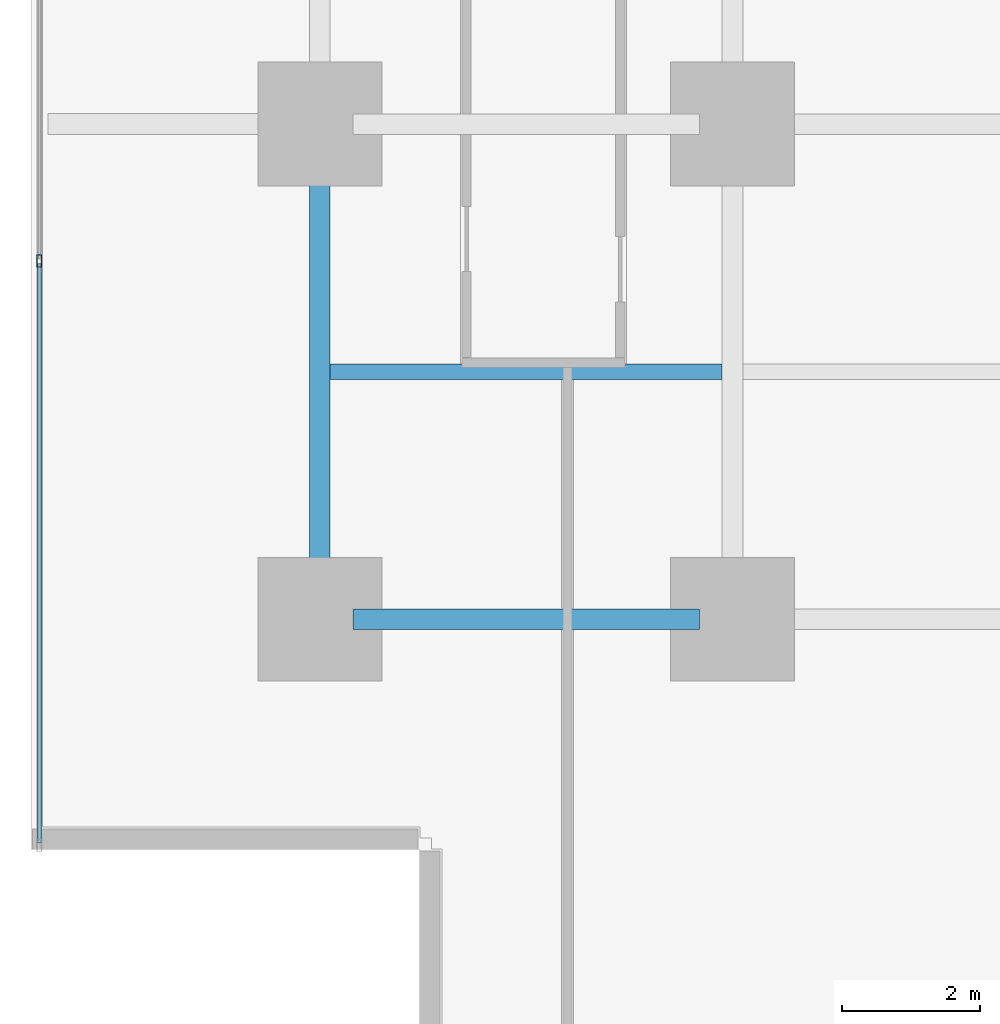
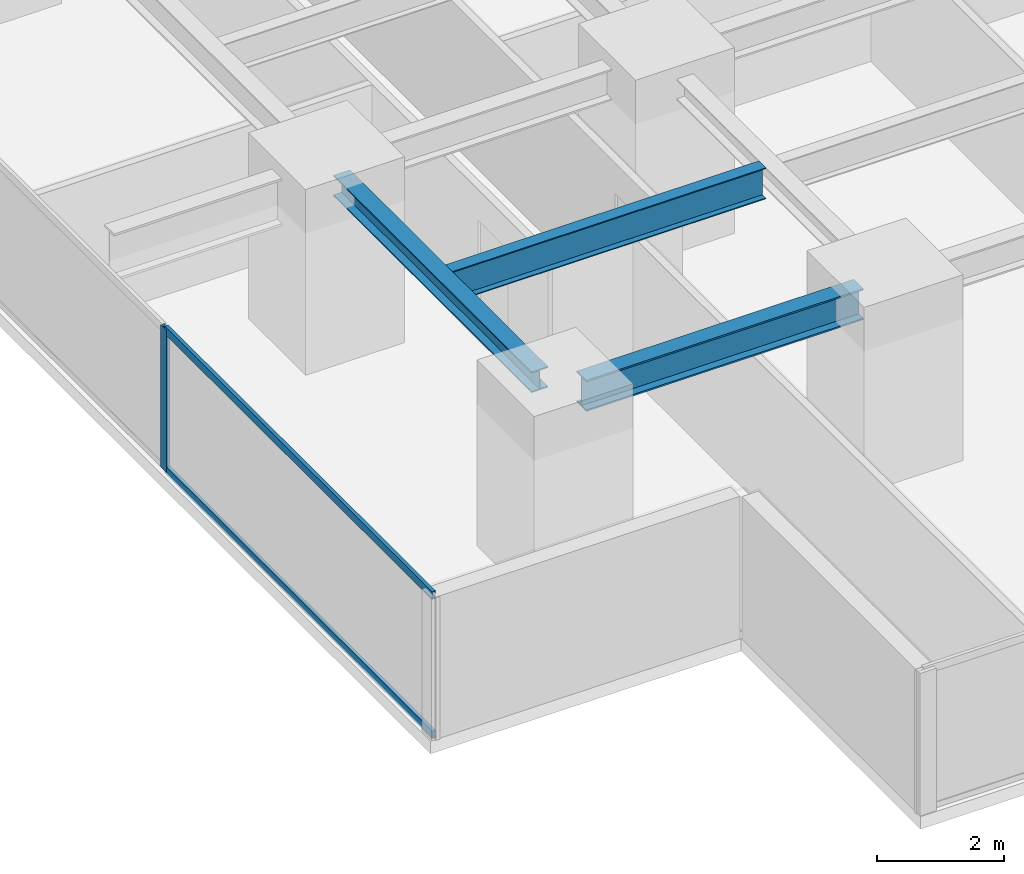
# One storey, part 3 of 33: 3 beams, 3 members, 1 element without a shape of its own.
"""IFC4 building model written with IfcOpenShell, lengths in metres."""

from ifc_helpers import new_model, si_unit, direction, frame, origin, origin_2d, place, context, subcontext, project, spatial, hollow_rectangle, i_section, extrude, source, transform, mapped, material, layer, layer_set, material_profile, profile_set, type_object, element, aggregate, save


model = new_model("IFC4")

# Units and contexts
model_context = context("Model", 3, precision=1e-05, world=origin(), true_north=direction((0.0, 1.0)))
body_context = subcontext(model_context, "Body", "Model", "MODEL_VIEW")
ifc_project = project(units=[si_unit("LENGTHUNIT", "METRE"), si_unit("AREAUNIT", "SQUARE_METRE"), si_unit("VOLUMEUNIT", "CUBIC_METRE"), si_unit("PLANEANGLEUNIT", "RADIAN"), si_unit("MASSUNIT", "GRAM", prefix="KILO")], contexts=[model_context])

# Site, building, storey
site_placement = place(None, origin())
site = spatial("IfcSite", under=ifc_project, at=site_placement, CompositionType="ELEMENT")
building_placement = place(site_placement, origin())
building = spatial("IfcBuilding", under=site, at=building_placement, Name="Sumidabori Civic Tower", CompositionType="ELEMENT")
storey_placement = place(building_placement, frame((0.0, 0.0, 38.0)))
storey = spatial("IfcBuildingStorey", under=building, at=storey_placement, Name="L09", CompositionType="ELEMENT", Elevation=38.0)

# Beams
ifc_material_1 = material(Name="Steel SN490", Category="steel")
ifc_material_profile_1 = material_profile(ifc_material_1, i_section(OverallWidth=0.300048828125, OverallDepth=0.60009765625, WebThickness=0.015380859375, FlangeThickness=0.030029296875, at=origin_2d()), Name="HE 600 B")
ifc_profile_set_1 = profile_set([ifc_material_profile_1], Name="Steel SN490")
beam_type_1 = type_object("IfcBeamType", Name="BM-GIRD-600", PredefinedType="BEAM", material=ifc_profile_set_1)
shared_shape_1 = source(origin(), body_context, "Body", "SweptSolid", [
    extrude(i_section(OverallWidth=0.300048828125, OverallDepth=0.60009765625, WebThickness=0.015380859375, FlangeThickness=0.030029296875, at=origin_2d()), origin(), (0.0, 0.0, 1.0), 5.0400390625),
])
beam_1_placement = place(storey_placement, frame((-22.320068359375, -18.0, 3.06005859375), z_axis=(1.0, 0.0, 0.0), x_axis=(0.0, 1.0, 0.0)))
element("IfcBeam", 1, at=beam_1_placement, inside=storey, type_object=beam_type_1, Name="Primary Girder L09 GX-01", PredefinedType="BEAM", context=body_context, shape_type="MappedRepresentation", body=[
    mapped(shared_shape_1, transform((0.0, 0.0, 0.0), x_axis=(1.0, 0.0, 0.0), y_axis=(0.0, 1.0, 0.0), z_axis=(0.0, 0.0, 1.0), scale=1.0)),
])
ifc_material_profile_2 = material_profile(ifc_material_1, i_section(OverallWidth=0.300048828125, OverallDepth=0.39990234375, WebThickness=0.013427734375, FlangeThickness=0.02392578125, at=origin_2d()), Name="HE 400 B")
ifc_profile_set_2 = profile_set([ifc_material_profile_2], Name="Steel SN490")
beam_type_2 = type_object("IfcBeamType", Name="BM-GIRD-400", PredefinedType="BEAM", material=ifc_profile_set_2)
shared_shape_2 = source(origin(), body_context, "Body", "SweptSolid", [
    extrude(i_section(OverallWidth=0.300048828125, OverallDepth=0.39990234375, WebThickness=0.013427734375, FlangeThickness=0.02392578125, at=origin_2d()), origin(), (0.0, 0.0, 1.0), 6.239990234375),
])
beam_2_placement = place(storey_placement, frame((-22.800048828125, -17.52001953125, 3.159912109375), z_axis=(0.0, 1.0, 0.0), x_axis=(-1.0, 0.0, 0.0)))
element("IfcBeam", 2, at=beam_2_placement, inside=storey, type_object=beam_type_2, Name="Primary Girder L09 GY-21", PredefinedType="BEAM", context=body_context, shape_type="MappedRepresentation", body=[
    mapped(shared_shape_2, transform((0.0, 0.0, 0.0), x_axis=(1.0, 0.0, 0.0), y_axis=(0.0, 1.0, 0.0), z_axis=(0.0, 0.0, 1.0), scale=1.0)),
])
ifc_material_profile_3 = material_profile(ifc_material_1, i_section(OverallWidth=0.219970703125, OverallDepth=0.60009765625, WebThickness=0.011962890625, FlangeThickness=0.01904296875, at=origin_2d()), Name="IPE 600")
ifc_profile_set_3 = profile_set([ifc_material_profile_3], Name="Steel SN490")
beam_type_3 = type_object("IfcBeamType", Name="BM-JST-600", PredefinedType="JOIST", material=ifc_profile_set_3)
shared_shape_3 = source(origin(), body_context, "Body", "SweptSolid", [
    extrude(i_section(OverallWidth=0.219970703125, OverallDepth=0.60009765625, WebThickness=0.011962890625, FlangeThickness=0.01904296875, at=origin_2d()), origin(), (0.0, 0.0, 1.0), 5.699951171875),
])
beam_3_placement = place(storey_placement, frame((-22.64990234375, -14.39990234375, 3.06005859375), z_axis=(1.0, 0.0, 0.0), x_axis=(0.0, 1.0, 0.0)))
element("IfcBeam", 3, at=beam_3_placement, inside=storey, type_object=beam_type_3, Name="Outer Bay Floor Joist L09 JSTO-57", PredefinedType="JOIST", context=body_context, shape_type="MappedRepresentation", body=[
    mapped(shared_shape_3, transform((0.0, 0.0, 0.0), x_axis=(1.0, 0.0, 0.0), y_axis=(0.0, 1.0, 0.0), z_axis=(0.0, 0.0, 1.0), scale=1.0)),
])

# Curtain wall, members
ifc_material_2 = material(Name="Anodised Bronze Aluminium AW-6063-T6", Category="aluminium")
ifc_layer = layer(ifc_material_2, 0.179931640625, Name="Anodised Bronze Aluminium AW-6063-T6")
ifc_layer_set = layer_set([ifc_layer], Name="Anodised Bronze Aluminium AW-6063-T6")
curtain_wall_type = type_object("IfcCurtainWallType", Name="CW-SYS-2", PredefinedType="NOTDEFINED", material=ifc_layer_set)
curtain_wall_placement = place(storey_placement, origin())
curtain_wall = element("IfcCurtainWall", 4, at=curtain_wall_placement, inside=storey, type_object=curtain_wall_type, Name="Curtain Wall CW:L09:R10", PredefinedType="NOTDEFINED")
ifc_material_profile_4 = material_profile(ifc_material_2, hollow_rectangle(XDim=0.070068359375, YDim=0.179931640625, WallThickness=0.006103515625, at=origin_2d()), Name="ALU MULLION 180x70")
ifc_profile_set_4 = profile_set([ifc_material_profile_4], Name="Anodised Bronze Aluminium AW-6063-T6")
member_type_1 = type_object("IfcMemberType", Name="CW-MUL-180", PredefinedType="MULLION", material=ifc_profile_set_4)
shared_shape_4 = source(origin(), body_context, "Body", "SweptSolid", [
    extrude(hollow_rectangle(XDim=0.070068359375, YDim=0.179931640625, WallThickness=0.006103515625, at=origin_2d()), origin(), (0.0, 0.0, 1.0), 2.739990234375),
])
member_1_placement = place(storey_placement, frame((-26.8798828125, -12.7919921875, 0.0), z_axis=(0.0, 0.0, 1.0), x_axis=(1.0, 0.0, 0.0)))
member_1 = element("IfcMember", 5, at=member_1_placement, type_object=member_type_1, Name="CW-2 mullion 5", PredefinedType="MULLION", context=body_context, shape_type="MappedRepresentation", body=[
    mapped(shared_shape_4, transform((0.0, 0.0, 0.0), x_axis=(1.0, 0.0, 0.0), y_axis=(0.0, 1.0, 0.0), z_axis=(0.0, 0.0, 1.0), scale=1.0)),
])
ifc_material_profile_5 = material_profile(ifc_material_2, hollow_rectangle(XDim=0.06494140625, YDim=0.14990234375, WallThickness=0.0048828125, at=origin_2d()), Name="ALU TRANSOM 150x65")
ifc_profile_set_5 = profile_set([ifc_material_profile_5], Name="Anodised Bronze Aluminium AW-6063-T6")
member_type_2 = type_object("IfcMemberType", Name="CW-TRN-150", PredefinedType="USERDEFINED", material=ifc_profile_set_5)
shared_shape_5 = source(origin(), body_context, "Body", "SweptSolid", [
    extrude(hollow_rectangle(XDim=0.06494140625, YDim=0.14990234375, WallThickness=0.0048828125, at=origin_2d()), origin(), (0.0, 0.0, 1.0), 8.423095703125),
])
member_2_placement = place(storey_placement, frame((-26.8798828125, -12.826904296875, 0.032470703125), z_axis=(0.0, -1.0, 0.0), x_axis=(1.0, 0.0, 0.0)))
member_2 = element("IfcMember", 6, at=member_2_placement, type_object=member_type_2, Name="CW-2 transom 5.1", ObjectType="TRANSOM", PredefinedType="USERDEFINED", context=body_context, shape_type="MappedRepresentation", body=[
    mapped(shared_shape_5, transform((0.0, 0.0, 0.0), x_axis=(1.0, 0.0, 0.0), y_axis=(0.0, 1.0, 0.0), z_axis=(0.0, 0.0, 1.0), scale=1.0)),
])
member_3_placement = place(storey_placement, frame((-26.8798828125, -12.826904296875, 2.70751953125), z_axis=(0.0, -1.0, 0.0), x_axis=(1.0, 0.0, 0.0)))
member_3 = element("IfcMember", 7, at=member_3_placement, type_object=member_type_2, Name="CW-2 transom 5.2", ObjectType="TRANSOM", PredefinedType="USERDEFINED", context=body_context, shape_type="MappedRepresentation", body=[
    mapped(shared_shape_5, transform((0.0, 0.0, 0.0), x_axis=(1.0, 0.0, 0.0), y_axis=(0.0, 1.0, 0.0), z_axis=(0.0, 0.0, 1.0), scale=1.0)),
])
aggregate(curtain_wall, [member_1, member_2, member_3])

save(model, "model.ifc")
